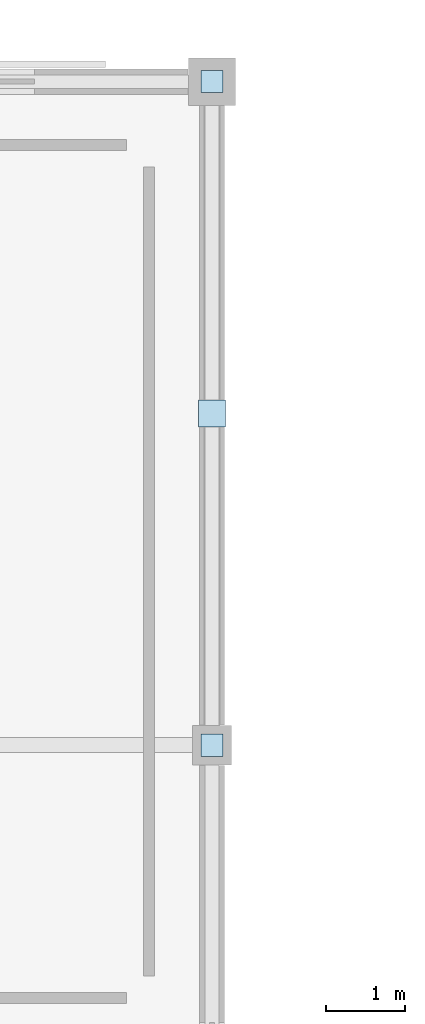
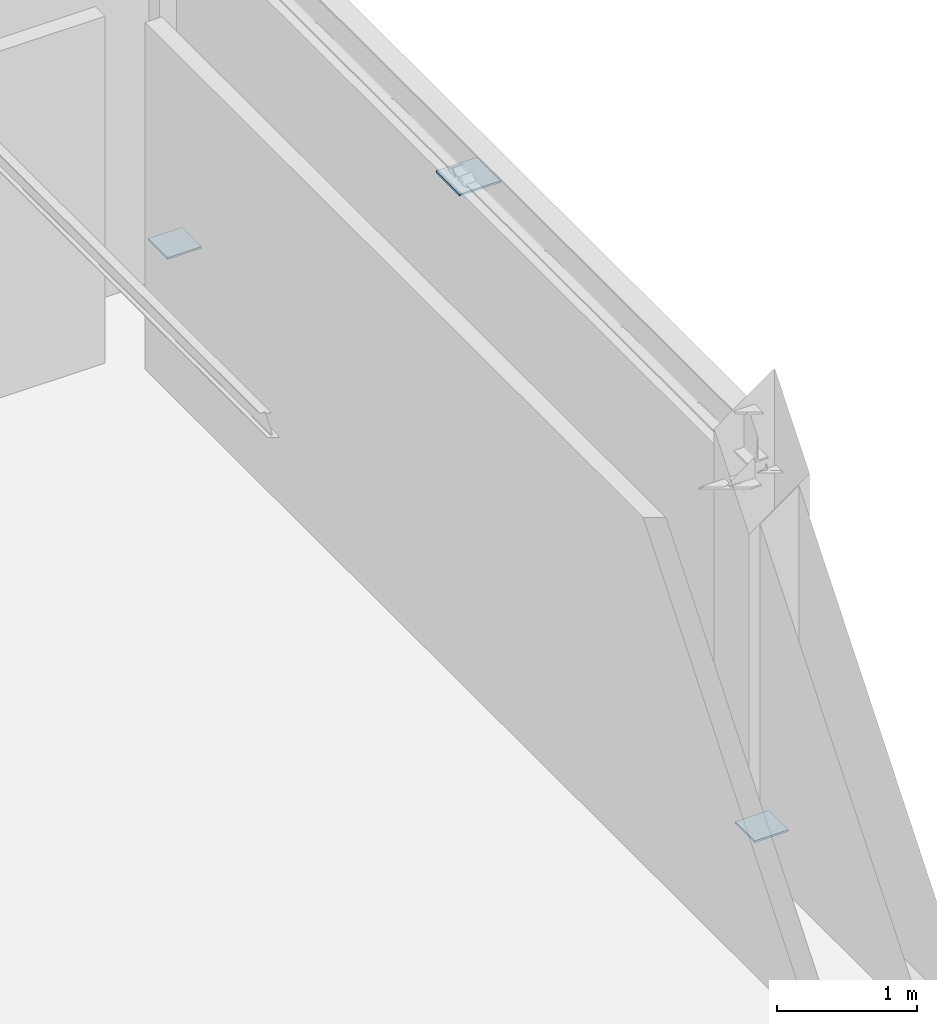
# One storey, part 74 of 98: 3 plates.
"""IFC4 building model written with IfcOpenShell, lengths in metres."""

from ifc_helpers import new_model, si_unit, derived_unit, direction, frame, origin, origin_2d_with_axis, place, context, subcontext, project, spatial, rectangle, extrude, material, layer, layer_set, type_object, element, save


model = new_model("IFC4")

# Units and contexts
model_context = context("Model", 3, precision=1e-05, world=origin(), true_north=direction((0.0, 1.0)))
body_context = subcontext(model_context, "Body", "Model", "MODEL_VIEW")
ifc_project = project(units=[si_unit("LENGTHUNIT", "METRE"), si_unit("AREAUNIT", "SQUARE_METRE"), si_unit("VOLUMEUNIT", "CUBIC_METRE"), si_unit("PLANEANGLEUNIT", "RADIAN"), si_unit("MASSUNIT", "GRAM", prefix="KILO"), derived_unit("THERMALTRANSMITTANCEUNIT", [(si_unit("POWERUNIT", "WATT"), 1), (si_unit("LENGTHUNIT", "METRE"), -2), (si_unit("THERMODYNAMICTEMPERATUREUNIT", "KELVIN"), -1)])], contexts=[model_context])

# Site, building, storey
site_placement = place(None, origin())
site = spatial("IfcSite", under=ifc_project, at=site_placement, CompositionType="ELEMENT")
building_placement = place(site_placement, origin())
building = spatial("IfcBuilding", under=site, at=building_placement, Name="Cinnabar Yard Market Hall", CompositionType="ELEMENT")
storey_placement = place(building_placement, frame((0.0, 0.0, 4.5)))
storey = spatial("IfcBuildingStorey", under=building, at=storey_placement, Name="L01", CompositionType="ELEMENT", Elevation=4.5)

# Plates
ifc_material = material(Name="Steel Grade 350 (350 MPa)", Category="steel")
ifc_layer_1 = layer(ifc_material, 0.01611328125)
ifc_layer_set_1 = layer_set([ifc_layer_1], Name="Steel Grade 350 (350 MPa)")
plate_type_1 = type_object("IfcPlateType", Name="PL-NP18E", PredefinedType="SHEET", material=ifc_layer_set_1)
plate_placement = place(storey_placement, frame((162.0, 133.800048828125, 3.261962890625), z_axis=(0.0, 0.0, 1.0), x_axis=(1.0, 0.0, 0.0)))
element("IfcPlate", 1, at=plate_placement, inside=storey, type_object=plate_type_1, Name="Brace Apex Gusset CBF-V3-E1", PredefinedType="SHEET", context=body_context, shape_type="SweptSolid", body=[
    extrude(rectangle(XDim=0.340087890625, YDim=0.340087890625, at=origin_2d_with_axis()), origin(), (0.0, 0.0, 1.0), 0.01611328125),
])
ifc_layer_2 = layer(ifc_material, 0.01611328125)
ifc_layer_set_2 = layer_set([ifc_layer_2], Name="Steel Grade 350 (350 MPa)")
plate_type_2 = type_object("IfcPlateType", Name="PL-NP19E", PredefinedType="SHEET", material=ifc_layer_set_2)
for number, where, z_axis, x_axis, name in (
    (2, (162.0, 129.60009765625, 0.1318359375), (0.0, 0.0, 1.0), (1.0, 0.0, 0.0), "Brace Base Gusset CBF-V3-E1 L"),
    (3, (162.0, 138.0, 0.1318359375), (0.0, 0.0, 1.0), (1.0, 0.0, 0.0), "Brace Base Gusset CBF-V3-E1 R"),
):
    element("IfcPlate", number, at=place(storey_placement, frame(where, z_axis=z_axis, x_axis=x_axis)), inside=storey, type_object=plate_type_2, Name=name, PredefinedType="SHEET", context=body_context, shape_type="SweptSolid", body=[
        extrude(rectangle(XDim=0.280029296875, YDim=0.280029296875, at=origin_2d_with_axis()), origin(), (0.0, 0.0, 1.0), 0.01611328125),
    ])

save(model, "model.ifc")
